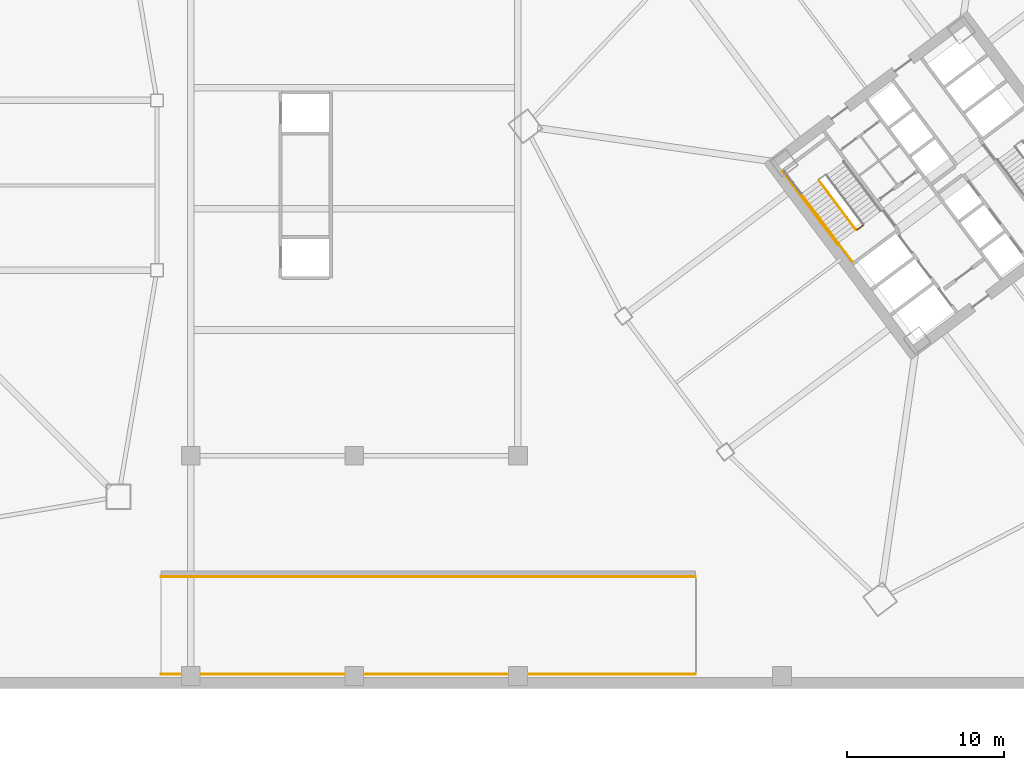
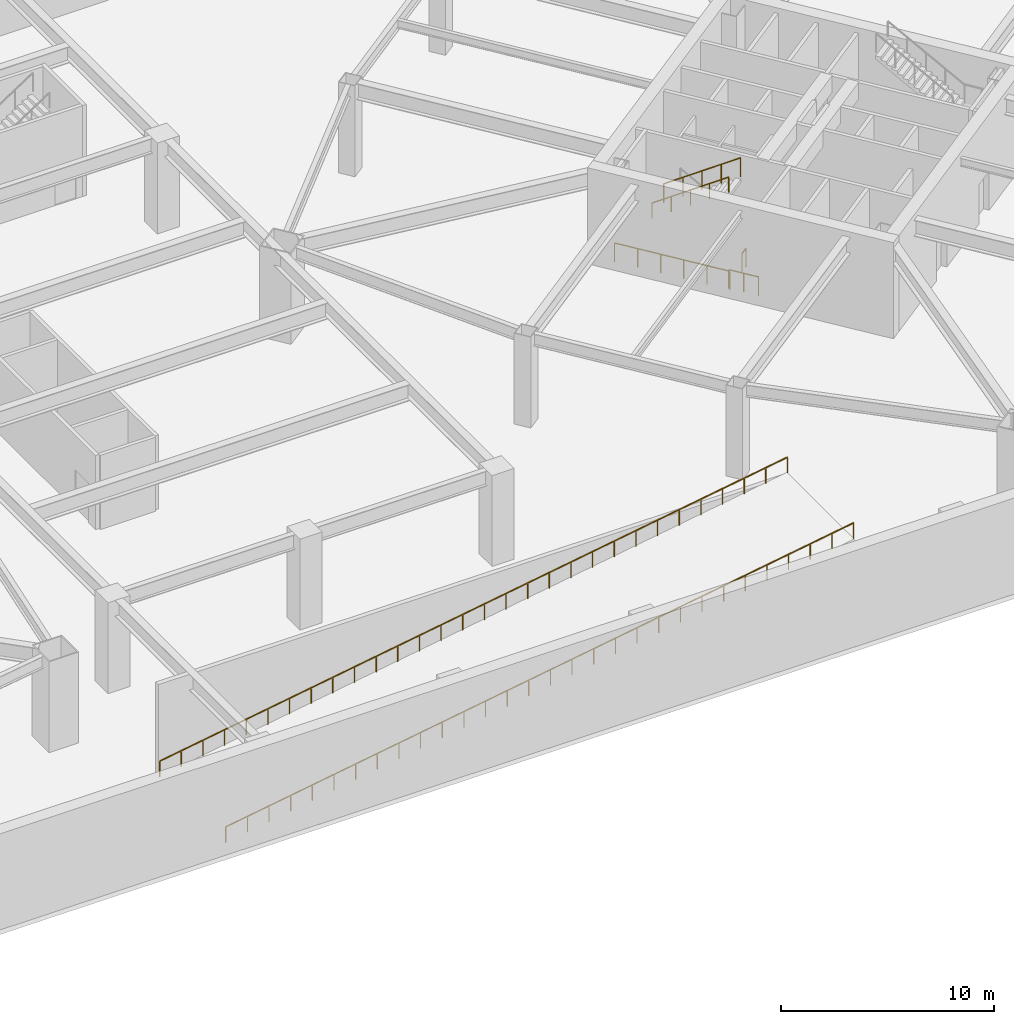
# One storey, part 15 of 17: 7 railings.
"""IFC4 building model written with IfcOpenShell, lengths in metres."""

from ifc_helpers import new_model, si_unit, direction, frame, origin, origin_2d, place, context, subcontext, project, spatial, rectangle, extrude, material, type_object, element, save


model = new_model("IFC4")

# Units and contexts
model_context = context("Model", 3, precision=1e-05, world=origin(), true_north=direction((0.0, 1.0)))
body_context = subcontext(model_context, "Body", "Model", "MODEL_VIEW")
ifc_project = project(units=[si_unit("LENGTHUNIT", "METRE"), si_unit("AREAUNIT", "SQUARE_METRE"), si_unit("VOLUMEUNIT", "CUBIC_METRE"), si_unit("PLANEANGLEUNIT", "RADIAN"), si_unit("MASSUNIT", "GRAM", prefix="KILO")], contexts=[model_context])

# Site, building, storey
site_placement = place(None, origin())
site = spatial("IfcSite", under=ifc_project, at=site_placement, CompositionType="ELEMENT")
building_placement = place(site_placement, origin())
building = spatial("IfcBuilding", under=site, at=building_placement, Name="Tashvorn Skyway Center", CompositionType="ELEMENT")
storey_placement = place(building_placement, frame((0.0, 0.0, -5.5)))
storey = spatial("IfcBuildingStorey", under=building, at=storey_placement, Name="B1", CompositionType="ELEMENT", Elevation=-5.5)

# Railings
ifc_material_1 = material(Name="Brushed stainless steel 316", Category="steel")
railing_type_1 = type_object("IfcRailingType", Name="RAIL-HAND-920", PredefinedType="HANDRAIL", material=ifc_material_1)
railing_1_placement = place(storey_placement, frame((105.23193359375, 31.47412109375, 2.933349609375)))
element("IfcRailing", 1, at=railing_1_placement, inside=storey, type_object=railing_type_1, Name="B1 ST-T2-1 stair handrail 2", PredefinedType="HANDRAIL", context=body_context, shape_type="SweptSolid", body=[
    extrude(rectangle(XDim=0.048095703125, YDim=0.048095703125, at=origin_2d()), frame((0.0, 0.0, 0.8759765625), z_axis=(0.501963654013, -0.669319607583, 0.547762496849), x_axis=(0.800014946318, 0.599980071059, 0.0)), (0.0, 0.0, 1.0), 4.685791015625),
    extrude(rectangle(XDim=0.0419921875, YDim=0.0419921875, at=origin_2d()), origin(), (0.0, 0.0, 1.0), 0.851806640625),
    extrude(rectangle(XDim=0.0419921875, YDim=0.0419921875, at=origin_2d()), frame((0.587890625, -0.7841796875, 0.6416015625)), (0.0, 0.0, 1.0), 0.851806640625),
    extrude(rectangle(XDim=0.0419921875, YDim=0.0419921875, at=origin_2d()), frame((1.176025390625, -1.568115234375, 1.283203125)), (0.0, 0.0, 1.0), 0.851806640625),
    extrude(rectangle(XDim=0.0419921875, YDim=0.0419921875, at=origin_2d()), frame((1.76416015625, -2.35205078125, 1.925048828125)), (0.0, 0.0, 1.0), 0.851806640625),
    extrude(rectangle(XDim=0.0419921875, YDim=0.0419921875, at=origin_2d()), frame((2.35205078125, -3.13623046875, 2.566650390625)), (0.0, 0.0, 1.0), 0.851806640625),
])
railing_2_placement = place(storey_placement, frame((64.5, 0.89990234375, 0.0)))
element("IfcRailing", 2, at=railing_2_placement, inside=storey, type_object=railing_type_1, Name="Vehicle Ramp S Kerb Guardrail", PredefinedType="HANDRAIL", context=body_context, shape_type="SweptSolid", body=[
    extrude(rectangle(XDim=0.048095703125, YDim=0.048095703125, at=origin_2d()), frame((0.0, 0.0, 0.89599609375), z_axis=(0.987167398737, 0.0, 0.159688843913), x_axis=(0.0, 1.0, 0.0)), (0.0, 0.0, 1.0), 34.44189453125),
    extrude(rectangle(XDim=0.0419921875, YDim=0.0419921875, at=origin_2d()), origin(), (0.0, 0.0, 1.0), 0.871826171875),
    extrude(rectangle(XDim=0.0419921875, YDim=0.0419921875, at=origin_2d()), frame((1.17236328125, 0.0, 0.189697265625)), (0.0, 0.0, 1.0), 0.871826171875),
    extrude(rectangle(XDim=0.0419921875, YDim=0.0419921875, at=origin_2d()), frame((2.3447265625, 0.0, 0.37939453125)), (0.0, 0.0, 1.0), 0.871826171875),
    extrude(rectangle(XDim=0.0419921875, YDim=0.0419921875, at=origin_2d()), frame((3.517333984375, 0.0, 0.56884765625)), (0.0, 0.0, 1.0), 0.871826171875),
    extrude(rectangle(XDim=0.0419921875, YDim=0.0419921875, at=origin_2d()), frame((4.689697265625, 0.0, 0.758544921875)), (0.0, 0.0, 1.0), 0.871826171875),
    extrude(rectangle(XDim=0.0419921875, YDim=0.0419921875, at=origin_2d()), frame((5.862060546875, 0.0, 0.9482421875)), (0.0, 0.0, 1.0), 0.871826171875),
    extrude(rectangle(XDim=0.0419921875, YDim=0.0419921875, at=origin_2d()), frame((7.034423828125, 0.0, 1.137939453125)), (0.0, 0.0, 1.0), 0.871826171875),
    extrude(rectangle(XDim=0.0419921875, YDim=0.0419921875, at=origin_2d()), frame((8.206787109375, 0.0, 1.32763671875)), (0.0, 0.0, 1.0), 0.871826171875),
    extrude(rectangle(XDim=0.0419921875, YDim=0.0419921875, at=origin_2d()), frame((9.37939453125, 0.0, 1.517333984375)), (0.0, 0.0, 1.0), 0.871826171875),
    extrude(rectangle(XDim=0.0419921875, YDim=0.0419921875, at=origin_2d()), frame((10.5517578125, 0.0, 1.706787109375)), (0.0, 0.0, 1.0), 0.871826171875),
    extrude(rectangle(XDim=0.0419921875, YDim=0.0419921875, at=origin_2d()), frame((11.72412109375, 0.0, 1.896484375)), (0.0, 0.0, 1.0), 0.871826171875),
    extrude(rectangle(XDim=0.0419921875, YDim=0.0419921875, at=origin_2d()), frame((12.896484375, 0.0, 2.086181640625)), (0.0, 0.0, 1.0), 0.871826171875),
    extrude(rectangle(XDim=0.0419921875, YDim=0.0419921875, at=origin_2d()), frame((14.06884765625, 0.0, 2.27587890625)), (0.0, 0.0, 1.0), 0.871826171875),
    extrude(rectangle(XDim=0.0419921875, YDim=0.0419921875, at=origin_2d()), frame((15.241455078125, 0.0, 2.465576171875)), (0.0, 0.0, 1.0), 0.871826171875),
    extrude(rectangle(XDim=0.0419921875, YDim=0.0419921875, at=origin_2d()), frame((16.413818359375, 0.0, 2.6552734375)), (0.0, 0.0, 1.0), 0.871826171875),
    extrude(rectangle(XDim=0.0419921875, YDim=0.0419921875, at=origin_2d()), frame((17.586181640625, 0.0, 2.8447265625)), (0.0, 0.0, 1.0), 0.871826171875),
    extrude(rectangle(XDim=0.0419921875, YDim=0.0419921875, at=origin_2d()), frame((18.758544921875, 0.0, 3.034423828125)), (0.0, 0.0, 1.0), 0.871826171875),
    extrude(rectangle(XDim=0.0419921875, YDim=0.0419921875, at=origin_2d()), frame((19.93115234375, 0.0, 3.22412109375)), (0.0, 0.0, 1.0), 0.871826171875),
    extrude(rectangle(XDim=0.0419921875, YDim=0.0419921875, at=origin_2d()), frame((21.103515625, 0.0, 3.413818359375)), (0.0, 0.0, 1.0), 0.871826171875),
    extrude(rectangle(XDim=0.0419921875, YDim=0.0419921875, at=origin_2d()), frame((22.27587890625, 0.0, 3.603515625)), (0.0, 0.0, 1.0), 0.871826171875),
    extrude(rectangle(XDim=0.0419921875, YDim=0.0419921875, at=origin_2d()), frame((23.4482421875, 0.0, 3.793212890625)), (0.0, 0.0, 1.0), 0.871826171875),
    extrude(rectangle(XDim=0.0419921875, YDim=0.0419921875, at=origin_2d()), frame((24.62060546875, 0.0, 3.982666015625)), (0.0, 0.0, 1.0), 0.871826171875),
    extrude(rectangle(XDim=0.0419921875, YDim=0.0419921875, at=origin_2d()), frame((25.793212890625, 0.0, 4.17236328125)), (0.0, 0.0, 1.0), 0.871826171875),
    extrude(rectangle(XDim=0.0419921875, YDim=0.0419921875, at=origin_2d()), frame((26.965576171875, 0.0, 4.362060546875)), (0.0, 0.0, 1.0), 0.871826171875),
    extrude(rectangle(XDim=0.0419921875, YDim=0.0419921875, at=origin_2d()), frame((28.137939453125, 0.0, 4.5517578125)), (0.0, 0.0, 1.0), 0.871826171875),
    extrude(rectangle(XDim=0.0419921875, YDim=0.0419921875, at=origin_2d()), frame((29.310302734375, 0.0, 4.741455078125)), (0.0, 0.0, 1.0), 0.871826171875),
    extrude(rectangle(XDim=0.0419921875, YDim=0.0419921875, at=origin_2d()), frame((30.482666015625, 0.0, 4.93115234375)), (0.0, 0.0, 1.0), 0.871826171875),
    extrude(rectangle(XDim=0.0419921875, YDim=0.0419921875, at=origin_2d()), frame((31.6552734375, 0.0, 5.12060546875)), (0.0, 0.0, 1.0), 0.871826171875),
    extrude(rectangle(XDim=0.0419921875, YDim=0.0419921875, at=origin_2d()), frame((32.82763671875, 0.0, 5.310302734375)), (0.0, 0.0, 1.0), 0.871826171875),
    extrude(rectangle(XDim=0.0419921875, YDim=0.0419921875, at=origin_2d()), frame((34.0, 0.0, 5.5)), (0.0, 0.0, 1.0), 0.871826171875),
])
railing_3_placement = place(storey_placement, frame((64.5, 7.10009765625, 0.0)))
element("IfcRailing", 3, at=railing_3_placement, inside=storey, type_object=railing_type_1, Name="Vehicle Ramp N Kerb Guardrail", PredefinedType="HANDRAIL", context=body_context, shape_type="SweptSolid", body=[
    extrude(rectangle(XDim=0.048095703125, YDim=0.048095703125, at=origin_2d()), frame((0.0, 0.0, 0.89599609375), z_axis=(0.987167398737, 0.0, 0.159688843913), x_axis=(0.0, 1.0, 0.0)), (0.0, 0.0, 1.0), 34.44189453125),
    extrude(rectangle(XDim=0.0419921875, YDim=0.0419921875, at=origin_2d()), origin(), (0.0, 0.0, 1.0), 0.871826171875),
    extrude(rectangle(XDim=0.0419921875, YDim=0.0419921875, at=origin_2d()), frame((1.17236328125, 0.0, 0.189697265625)), (0.0, 0.0, 1.0), 0.871826171875),
    extrude(rectangle(XDim=0.0419921875, YDim=0.0419921875, at=origin_2d()), frame((2.3447265625, 0.0, 0.37939453125)), (0.0, 0.0, 1.0), 0.871826171875),
    extrude(rectangle(XDim=0.0419921875, YDim=0.0419921875, at=origin_2d()), frame((3.517333984375, 0.0, 0.56884765625)), (0.0, 0.0, 1.0), 0.871826171875),
    extrude(rectangle(XDim=0.0419921875, YDim=0.0419921875, at=origin_2d()), frame((4.689697265625, 0.0, 0.758544921875)), (0.0, 0.0, 1.0), 0.871826171875),
    extrude(rectangle(XDim=0.0419921875, YDim=0.0419921875, at=origin_2d()), frame((5.862060546875, 0.0, 0.9482421875)), (0.0, 0.0, 1.0), 0.871826171875),
    extrude(rectangle(XDim=0.0419921875, YDim=0.0419921875, at=origin_2d()), frame((7.034423828125, 0.0, 1.137939453125)), (0.0, 0.0, 1.0), 0.871826171875),
    extrude(rectangle(XDim=0.0419921875, YDim=0.0419921875, at=origin_2d()), frame((8.206787109375, 0.0, 1.32763671875)), (0.0, 0.0, 1.0), 0.871826171875),
    extrude(rectangle(XDim=0.0419921875, YDim=0.0419921875, at=origin_2d()), frame((9.37939453125, 0.0, 1.517333984375)), (0.0, 0.0, 1.0), 0.871826171875),
    extrude(rectangle(XDim=0.0419921875, YDim=0.0419921875, at=origin_2d()), frame((10.5517578125, 0.0, 1.706787109375)), (0.0, 0.0, 1.0), 0.871826171875),
    extrude(rectangle(XDim=0.0419921875, YDim=0.0419921875, at=origin_2d()), frame((11.72412109375, 0.0, 1.896484375)), (0.0, 0.0, 1.0), 0.871826171875),
    extrude(rectangle(XDim=0.0419921875, YDim=0.0419921875, at=origin_2d()), frame((12.896484375, 0.0, 2.086181640625)), (0.0, 0.0, 1.0), 0.871826171875),
    extrude(rectangle(XDim=0.0419921875, YDim=0.0419921875, at=origin_2d()), frame((14.06884765625, 0.0, 2.27587890625)), (0.0, 0.0, 1.0), 0.871826171875),
    extrude(rectangle(XDim=0.0419921875, YDim=0.0419921875, at=origin_2d()), frame((15.241455078125, 0.0, 2.465576171875)), (0.0, 0.0, 1.0), 0.871826171875),
    extrude(rectangle(XDim=0.0419921875, YDim=0.0419921875, at=origin_2d()), frame((16.413818359375, 0.0, 2.6552734375)), (0.0, 0.0, 1.0), 0.871826171875),
    extrude(rectangle(XDim=0.0419921875, YDim=0.0419921875, at=origin_2d()), frame((17.586181640625, 0.0, 2.8447265625)), (0.0, 0.0, 1.0), 0.871826171875),
    extrude(rectangle(XDim=0.0419921875, YDim=0.0419921875, at=origin_2d()), frame((18.758544921875, 0.0, 3.034423828125)), (0.0, 0.0, 1.0), 0.871826171875),
    extrude(rectangle(XDim=0.0419921875, YDim=0.0419921875, at=origin_2d()), frame((19.93115234375, 0.0, 3.22412109375)), (0.0, 0.0, 1.0), 0.871826171875),
    extrude(rectangle(XDim=0.0419921875, YDim=0.0419921875, at=origin_2d()), frame((21.103515625, 0.0, 3.413818359375)), (0.0, 0.0, 1.0), 0.871826171875),
    extrude(rectangle(XDim=0.0419921875, YDim=0.0419921875, at=origin_2d()), frame((22.27587890625, 0.0, 3.603515625)), (0.0, 0.0, 1.0), 0.871826171875),
    extrude(rectangle(XDim=0.0419921875, YDim=0.0419921875, at=origin_2d()), frame((23.4482421875, 0.0, 3.793212890625)), (0.0, 0.0, 1.0), 0.871826171875),
    extrude(rectangle(XDim=0.0419921875, YDim=0.0419921875, at=origin_2d()), frame((24.62060546875, 0.0, 3.982666015625)), (0.0, 0.0, 1.0), 0.871826171875),
    extrude(rectangle(XDim=0.0419921875, YDim=0.0419921875, at=origin_2d()), frame((25.793212890625, 0.0, 4.17236328125)), (0.0, 0.0, 1.0), 0.871826171875),
    extrude(rectangle(XDim=0.0419921875, YDim=0.0419921875, at=origin_2d()), frame((26.965576171875, 0.0, 4.362060546875)), (0.0, 0.0, 1.0), 0.871826171875),
    extrude(rectangle(XDim=0.0419921875, YDim=0.0419921875, at=origin_2d()), frame((28.137939453125, 0.0, 4.5517578125)), (0.0, 0.0, 1.0), 0.871826171875),
    extrude(rectangle(XDim=0.0419921875, YDim=0.0419921875, at=origin_2d()), frame((29.310302734375, 0.0, 4.741455078125)), (0.0, 0.0, 1.0), 0.871826171875),
    extrude(rectangle(XDim=0.0419921875, YDim=0.0419921875, at=origin_2d()), frame((30.482666015625, 0.0, 4.93115234375)), (0.0, 0.0, 1.0), 0.871826171875),
    extrude(rectangle(XDim=0.0419921875, YDim=0.0419921875, at=origin_2d()), frame((31.6552734375, 0.0, 5.12060546875)), (0.0, 0.0, 1.0), 0.871826171875),
    extrude(rectangle(XDim=0.0419921875, YDim=0.0419921875, at=origin_2d()), frame((32.82763671875, 0.0, 5.310302734375)), (0.0, 0.0, 1.0), 0.871826171875),
    extrude(rectangle(XDim=0.0419921875, YDim=0.0419921875, at=origin_2d()), frame((34.0, 0.0, 5.5)), (0.0, 0.0, 1.0), 0.871826171875),
])
ifc_material_2 = material(Name="Painted galvanized steel S355", Category="steel")
railing_type_2 = type_object("IfcRailingType", Name="RAIL-STGUARD-1100", PredefinedType="GUARDRAIL", material=ifc_material_2)
railing_4_placement = place(storey_placement, frame((106.35205078125, 32.31396484375, 2.933349609375)))
element("IfcRailing", 4, at=railing_4_placement, inside=storey, type_object=railing_type_2, Name="B1 ST-T2-1 stair guard 4", PredefinedType="GUARDRAIL", context=body_context, shape_type="SweptSolid", body=[
    extrude(rectangle(XDim=0.048095703125, YDim=0.048095703125, at=origin_2d()), frame((0.0, 0.0, 1.076171875), z_axis=(0.501981159624, -0.669290844444, 0.54778159966), x_axis=(0.799992526283, 0.600009964827, 0.0)), (0.0, 0.0, 1.0), 4.685546875),
    extrude(rectangle(XDim=0.0419921875, YDim=0.0419921875, at=origin_2d()), origin(), (0.0, 0.0, 1.0), 1.052001953125),
    extrude(rectangle(XDim=0.0419921875, YDim=0.0419921875, at=origin_2d()), frame((0.587890625, -0.783935546875, 0.6416015625)), (0.0, 0.0, 1.0), 1.052001953125),
    extrude(rectangle(XDim=0.0419921875, YDim=0.0419921875, at=origin_2d()), frame((1.176025390625, -1.56787109375, 1.283203125)), (0.0, 0.0, 1.0), 1.052001953125),
    extrude(rectangle(XDim=0.0419921875, YDim=0.0419921875, at=origin_2d()), frame((1.76416015625, -2.35205078125, 1.925048828125)), (0.0, 0.0, 1.0), 1.052001953125),
    extrude(rectangle(XDim=0.0419921875, YDim=0.0419921875, at=origin_2d()), frame((2.35205078125, -3.135986328125, 2.566650390625)), (0.0, 0.0, 1.0), 1.052001953125),
])
railing_5_placement = place(storey_placement, frame((109.157958984375, 29.4560546875, 0.0)))
element("IfcRailing", 5, at=railing_5_placement, inside=storey, type_object=railing_type_2, Name="B1 ST-T2-1 stair guard 5", PredefinedType="GUARDRAIL", context=body_context, shape_type="SweptSolid", body=[
    extrude(rectangle(XDim=0.048095703125, YDim=0.048095703125, at=origin_2d()), frame((0.0, 0.0, 1.076171875), z_axis=(-0.799938970639, -0.600081363861, 0.0), x_axis=(0.600081363861, -0.799938970639, 0.0)), (0.0, 0.0, 1.0), 0.47998046875),
    extrude(rectangle(XDim=0.0419921875, YDim=0.0419921875, at=origin_2d()), origin(), (0.0, 0.0, 1.0), 1.052001953125),
    extrude(rectangle(XDim=0.0419921875, YDim=0.0419921875, at=origin_2d()), frame((-0.384033203125, -0.2880859375, 0.0)), (0.0, 0.0, 1.0), 1.052001953125),
])
railing_6_placement = place(storey_placement, frame((108.49609375, 27.1220703125, 0.0)))
element("IfcRailing", 6, at=railing_6_placement, inside=storey, type_object=railing_type_2, Name="B1 ST-T2-1 stair guard 6", PredefinedType="GUARDRAIL", context=body_context, shape_type="SweptSolid", body=[
    extrude(rectangle(XDim=0.048095703125, YDim=0.048095703125, at=origin_2d()), frame((0.0, 0.0, 1.076171875), z_axis=(-0.600102796382, 0.799922892393, 0.0), x_axis=(-0.799922892393, -0.600102796382, 0.0)), (0.0, 0.0, 1.0), 1.52001953125),
    extrude(rectangle(XDim=0.0419921875, YDim=0.0419921875, at=origin_2d()), origin(), (0.0, 0.0, 1.0), 1.052001953125),
    extrude(rectangle(XDim=0.0419921875, YDim=0.0419921875, at=origin_2d()), frame((-0.4560546875, 0.60791015625, 0.0)), (0.0, 0.0, 1.0), 1.052001953125),
    extrude(rectangle(XDim=0.0419921875, YDim=0.0419921875, at=origin_2d()), frame((-0.912109375, 1.2158203125, 0.0)), (0.0, 0.0, 1.0), 1.052001953125),
])
railing_7_placement = place(storey_placement, frame((107.56396484375, 28.197998046875, 0.0)))
element("IfcRailing", 7, at=railing_7_placement, inside=storey, type_object=railing_type_2, Name="B1 ST-T2-1 stair guard 7", PredefinedType="GUARDRAIL", context=body_context, shape_type="SweptSolid", body=[
    extrude(rectangle(XDim=0.048095703125, YDim=0.048095703125, at=origin_2d()), frame((0.0, 0.0, 1.076171875), z_axis=(-0.6, 0.8, 0.0), x_axis=(-0.8, -0.6, 0.0)), (0.0, 0.0, 1.0), 5.880126953125),
    extrude(rectangle(XDim=0.0419921875, YDim=0.0419921875, at=origin_2d()), origin(), (0.0, 0.0, 1.0), 1.052001953125),
    extrude(rectangle(XDim=0.0419921875, YDim=0.0419921875, at=origin_2d()), frame((-0.70556640625, 0.94091796875, 0.0)), (0.0, 0.0, 1.0), 1.052001953125),
    extrude(rectangle(XDim=0.0419921875, YDim=0.0419921875, at=origin_2d()), frame((-1.4111328125, 1.881591796875, 0.0)), (0.0, 0.0, 1.0), 1.052001953125),
    extrude(rectangle(XDim=0.0419921875, YDim=0.0419921875, at=origin_2d()), frame((-2.116943359375, 2.822509765625, 0.0)), (0.0, 0.0, 1.0), 1.052001953125),
    extrude(rectangle(XDim=0.0419921875, YDim=0.0419921875, at=origin_2d()), frame((-2.822509765625, 3.76318359375, 0.0)), (0.0, 0.0, 1.0), 1.052001953125),
    extrude(rectangle(XDim=0.0419921875, YDim=0.0419921875, at=origin_2d()), frame((-3.528076171875, 4.7041015625, 0.0)), (0.0, 0.0, 1.0), 1.052001953125),
])

save(model, "model.ifc")
